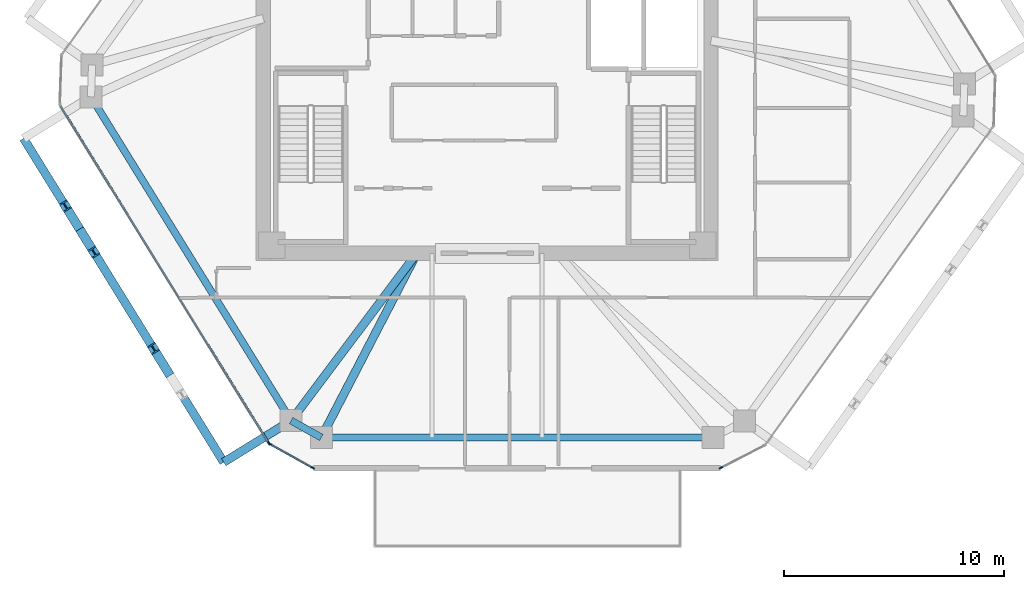
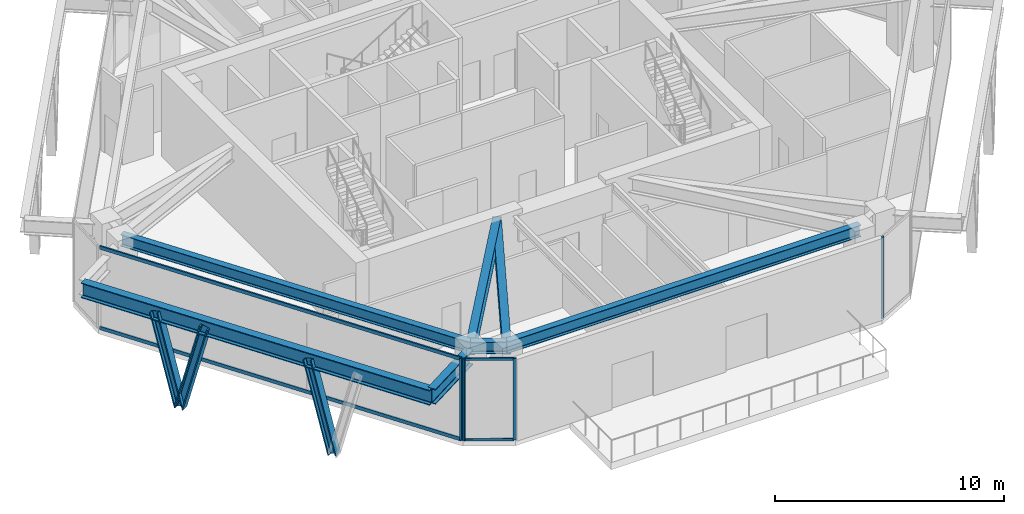
# One storey, part 2 of 12: 11 members, 7 beams, 3 elements without a shape of their own.
"""IFC4 building model written with IfcOpenShell, lengths in metres."""

from ifc_helpers import new_model, si_unit, direction, frame, origin, origin_2d, place, context, subcontext, project, spatial, rectangle, i_section, extrude, source, transform, mapped, material, layer, layer_set, material_profile, profile_set, type_object, type_shapes, element, aggregate, save


model = new_model("IFC4")

# Units and contexts
model_context = context("Model", 3, precision=1e-05, world=origin(), true_north=direction((0.0, 1.0)))
body_context = subcontext(model_context, "Body", "Model", "MODEL_VIEW")
ifc_project = project(units=[si_unit("LENGTHUNIT", "METRE"), si_unit("AREAUNIT", "SQUARE_METRE"), si_unit("VOLUMEUNIT", "CUBIC_METRE"), si_unit("PLANEANGLEUNIT", "RADIAN"), si_unit("MASSUNIT", "GRAM", prefix="KILO")], contexts=[model_context])

# Site, building, storey
site_placement = place(None, origin())
site = spatial("IfcSite", under=ifc_project, at=site_placement, CompositionType="ELEMENT")
building_placement = place(site_placement, origin())
building = spatial("IfcBuilding", under=site, at=building_placement, Name="Durnholm Broadcast Tower", CompositionType="ELEMENT")
storey_placement = place(building_placement, frame((0.0, 0.0, 162.60009765625)))
storey = spatial("IfcBuildingStorey", under=building, at=storey_placement, Name="L44", CompositionType="ELEMENT", Elevation=162.60009765625)

# Beams
ifc_material_1 = material(Name="Steel ASTM A992 Grade 50", Category="steel")
ifc_material_profile_1 = material_profile(ifc_material_1, i_section(OverallWidth=0.385009765625, OverallDepth=0.802978515625, WebThickness=0.023681640625, FlangeThickness=0.0419921875, FilletRadius=0.032958984375, at=origin_2d()), Name="W30X261")
ifc_profile_set_1 = profile_set([ifc_material_profile_1], Name="Steel ASTM A992 Grade 50")
beam_type_1 = type_object("IfcBeamType", Name="BM-EXO-TIE", PredefinedType="USERDEFINED", material=ifc_profile_set_1)
shared_shape_1 = source(origin(), body_context, "Body", "SweptSolid", [
    extrude(i_section(OverallWidth=0.385009765625, OverallDepth=0.802978515625, WebThickness=0.023681640625, FlangeThickness=0.0419921875, FilletRadius=0.032958984375, at=origin_2d()), origin(), (0.0, 0.0, 1.0), 3.4560546875),
])
beam_1_placement = place(storey_placement, frame((-9.03515625, -15.85205078125, 3.6083984375), z_axis=(-0.850693939061, -0.525661318764, 0.0), x_axis=(0.525661318764, -0.850693939061, 0.0)))
element("IfcBeam", 1, at=beam_1_placement, inside=storey, type_object=beam_type_1, Name="L44 exoskeleton stand-off tie bracket F6.2", ObjectType="GIRDER", PredefinedType="USERDEFINED", context=body_context, shape_type="MappedRepresentation", body=[
    mapped(shared_shape_1, transform((0.0, 0.0, 0.0), x_axis=(1.0, 0.0, 0.0), y_axis=(0.0, 1.0, 0.0), z_axis=(0.0, 0.0, 1.0), scale=1.0)),
])
ifc_material_profile_2 = material_profile(ifc_material_1, i_section(OverallWidth=0.3251953125, OverallDepth=0.6162109375, WebThickness=0.013916015625, FlangeThickness=0.021484375, FilletRadius=0.02783203125, at=origin_2d()), Name="W24X117")
ifc_profile_set_2 = profile_set([ifc_material_profile_2], Name="Steel ASTM A992 Grade 50")
beam_type_2 = type_object("IfcBeamType", Name="STL-SP-W24X117", PredefinedType="SPANDREL", material=ifc_profile_set_2)
shared_shape_2 = source(origin(), body_context, "Body", "SweptSolid", [
    extrude(i_section(OverallWidth=0.3251953125, OverallDepth=0.6162109375, WebThickness=0.013916015625, FlangeThickness=0.021484375, FilletRadius=0.02783203125, at=origin_2d()), origin(), (0.0, 0.0, 1.0), 17.3037109375),
])
beam_2_placement = place(storey_placement, frame((-8.91259765625, -15.7763671875, 4.036865234375), z_axis=(-0.525695324718, 0.850672925142, 0.0), x_axis=(-0.850672925142, -0.525695324718, 0.0)))
element("IfcBeam", 2, at=beam_2_placement, inside=storey, type_object=beam_type_2, Name="L44 perimeter spandrel girder 01", PredefinedType="SPANDREL", context=body_context, shape_type="MappedRepresentation", body=[
    mapped(shared_shape_2, transform((0.0, 0.0, 0.0), x_axis=(1.0, 0.0, 0.0), y_axis=(0.0, 1.0, 0.0), z_axis=(0.0, 0.0, 1.0), scale=1.0)),
])
shared_shape_3 = source(origin(), body_context, "Body", "SweptSolid", [
    extrude(i_section(OverallWidth=0.3251953125, OverallDepth=0.6162109375, WebThickness=0.013916015625, FlangeThickness=0.021484375, FilletRadius=0.02783203125, at=origin_2d()), origin(), (0.0, 0.0, 1.0), 17.796142578125),
])
beam_3_placement = place(storey_placement, frame((10.256591796875, -16.5419921875, 4.036865234375), z_axis=(-1.0, 0.0, 0.0), x_axis=(0.0, -1.0, 0.0)))
element("IfcBeam", 3, at=beam_3_placement, inside=storey, type_object=beam_type_2, Name="L44 perimeter spandrel girder 11", PredefinedType="SPANDREL", context=body_context, shape_type="MappedRepresentation", body=[
    mapped(shared_shape_3, transform((0.0, 0.0, 0.0), x_axis=(1.0, 0.0, 0.0), y_axis=(0.0, 1.0, 0.0), z_axis=(0.0, 0.0, 1.0), scale=1.0)),
])
shared_shape_4 = source(origin(), body_context, "Body", "SweptSolid", [
    extrude(i_section(OverallWidth=0.3251953125, OverallDepth=0.6162109375, WebThickness=0.013916015625, FlangeThickness=0.021484375, FilletRadius=0.02783203125, at=origin_2d()), origin(), (0.0, 0.0, 1.0), 1.572021484375),
])
type_shapes(beam_type_2, [shared_shape_2, shared_shape_3, shared_shape_4])
beam_4_placement = place(storey_placement, frame((-7.53955078125, -16.5419921875, 4.036865234375), z_axis=(-0.873394362663, 0.487013641769, 0.0), x_axis=(-0.487013641769, -0.873394362663, 0.0)))
element("IfcBeam", 4, at=beam_4_placement, inside=storey, type_object=beam_type_2, Name="L44 perimeter spandrel girder 12", PredefinedType="SPANDREL", context=body_context, shape_type="MappedRepresentation", body=[
    mapped(shared_shape_4, transform((0.0, 0.0, 0.0), x_axis=(1.0, 0.0, 0.0), y_axis=(0.0, 1.0, 0.0), z_axis=(0.0, 0.0, 1.0), scale=1.0)),
])
shared_shape_5 = source(origin(), body_context, "Body", "SweptSolid", [
    extrude(i_section(OverallWidth=0.385009765625, OverallDepth=0.802978515625, WebThickness=0.023681640625, FlangeThickness=0.0419921875, FilletRadius=0.032958984375, at=origin_2d()), origin(), (0.0, 0.0, 1.0), 17.303466796875),
])
type_shapes(beam_type_1, [shared_shape_1, shared_shape_5])
beam_5_placement = place(storey_placement, frame((-21.071533203125, -2.94921875, 3.6083984375), z_axis=(0.525701634347, -0.850669025911, 0.0), x_axis=(0.850669025911, 0.525701634347, 0.0)))
element("IfcBeam", 5, at=beam_5_placement, inside=storey, type_object=beam_type_1, Name="L44 exoskeleton collector spandrel F6", PredefinedType="SPANDREL", context=body_context, shape_type="MappedRepresentation", body=[
    mapped(shared_shape_5, transform((0.0, 0.0, 0.0), x_axis=(1.0, 0.0, 0.0), y_axis=(0.0, 1.0, 0.0), z_axis=(0.0, 0.0, 1.0), scale=1.0)),
])
ifc_material_profile_3 = material_profile(ifc_material_1, i_section(OverallWidth=0.380615234375, OverallDepth=0.773193359375, WebThickness=0.0166015625, FlangeThickness=0.027099609375, FilletRadius=0.032958984375, at=origin_2d()), Name="W30X173")
ifc_profile_set_3 = profile_set([ifc_material_profile_3], Name="Steel ASTM A992 Grade 50")
beam_type_3 = type_object("IfcBeamType", Name="STL-GR-W30X173", PredefinedType="USERDEFINED", material=ifc_profile_set_3)
shared_shape_6 = source(origin(), body_context, "Body", "SweptSolid", [
    extrude(i_section(OverallWidth=0.380615234375, OverallDepth=0.773193359375, WebThickness=0.0166015625, FlangeThickness=0.027099609375, FilletRadius=0.032958984375, at=origin_2d()), origin(), (0.0, 0.0, 1.0), 9.508544921875),
])
beam_6_placement = place(storey_placement, frame((-3.199951171875, -8.175048828125, 3.958251953125), z_axis=(-0.600784359039, -0.799411129479, 0.0), x_axis=(0.799411129479, -0.600784359039, 0.0)))
element("IfcBeam", 6, at=beam_6_placement, inside=storey, type_object=beam_type_3, Name="L44 radial primary floor girder 01", ObjectType="GIRDER", PredefinedType="USERDEFINED", context=body_context, shape_type="MappedRepresentation", body=[
    mapped(shared_shape_6, transform((0.0, 0.0, 0.0), x_axis=(1.0, 0.0, 0.0), y_axis=(0.0, 1.0, 0.0), z_axis=(0.0, 0.0, 1.0), scale=1.0)),
])
shared_shape_7 = source(origin(), body_context, "Body", "SweptSolid", [
    extrude(i_section(OverallWidth=0.380615234375, OverallDepth=0.773193359375, WebThickness=0.0166015625, FlangeThickness=0.027099609375, FilletRadius=0.032958984375, at=origin_2d()), origin(), (0.0, 0.0, 1.0), 9.42529296875),
])
type_shapes(beam_type_3, [shared_shape_6, shared_shape_7])
beam_7_placement = place(storey_placement, frame((-3.199951171875, -8.175048828125, 3.958251953125), z_axis=(-0.460416206992, -0.887703169048, 0.0), x_axis=(0.887703169048, -0.460416206992, 0.0)))
element("IfcBeam", 7, at=beam_7_placement, inside=storey, type_object=beam_type_3, Name="L44 radial primary floor girder 12", ObjectType="GIRDER", PredefinedType="USERDEFINED", context=body_context, shape_type="MappedRepresentation", body=[
    mapped(shared_shape_7, transform((0.0, 0.0, 0.0), x_axis=(1.0, 0.0, 0.0), y_axis=(0.0, 1.0, 0.0), z_axis=(0.0, 0.0, 1.0), scale=1.0)),
])

# Members
ifc_material_2 = material(Name="Steel ASTM A913 Grade 65", Category="steel")
ifc_material_profile_4 = material_profile(ifc_material_2, i_section(OverallWidth=0.412109375, OverallDepth=0.434814453125, WebThickness=0.035888671875, FlangeThickness=0.057373046875, FilletRadius=0.030517578125, at=origin_2d()), Name="W14X311")
ifc_profile_set_4 = profile_set([ifc_material_profile_4], Name="Steel ASTM A913 Grade 65")
member_type_1 = type_object("IfcMemberType", Name="STL-DG-W14X311", PredefinedType="BRACE", material=ifc_profile_set_4)
shared_shape_8 = source(origin(), body_context, "Body", "SweptSolid", [
    extrude(i_section(OverallWidth=0.412109375, OverallDepth=0.434814453125, WebThickness=0.035888671875, FlangeThickness=0.057373046875, FilletRadius=0.030517578125, at=origin_2d()), origin(), (0.0, 0.0, 1.0), 4.83984375),
])
type_shapes(member_type_1, [shared_shape_8])
for number, where, z_axis, x_axis, name in (
    (8, (-18.5244140625, -7.07080078125, -1.071533203125), (-0.134029350958, 0.21685817831, 0.966958460112), (-0.850644447398, -0.525741404219, 0.0), "L44 stand-off diagrid brace F6.D1.1"),
    (9, (-18.5244140625, -7.07080078125, -1.071533203125), (0.133979812757, -0.216859644218, 0.966964996514), (0.850732935913, 0.525598203719, 0.0), "L44 stand-off diagrid brace F6.D1.2"),
    (10, (-14.522216796875, -13.54736328125, -1.071533203125), (-0.133979812757, 0.216859644218, 0.966964996514), (-0.850732935913, -0.525598203719, 0.0), "L44 stand-off diagrid brace F6.D2.1"),
):
    element("IfcMember", number, at=place(storey_placement, frame(where, z_axis=z_axis, x_axis=x_axis)), inside=storey, type_object=member_type_1, Name=name, PredefinedType="BRACE", context=body_context, shape_type="MappedRepresentation", body=[
        mapped(shared_shape_8, transform((0.0, 0.0, 0.0), x_axis=(1.0, 0.0, 0.0), y_axis=(0.0, 1.0, 0.0), z_axis=(0.0, 0.0, 1.0), scale=1.0)),
    ])

# Curtain wall, members
ifc_material_3 = material(Name="Aluminium and Solar Control IGU", Category="aluminium")
ifc_layer_1 = layer(ifc_material_3, 0.1650390625)
ifc_layer_set_1 = layer_set([ifc_layer_1], Name="Aluminium and Solar Control IGU")
curtain_wall_type_1 = type_object("IfcCurtainWallType", Name="CW-SYS-5", PredefinedType="NOTDEFINED", material=ifc_layer_set_1)
curtain_wall_1_placement = place(storey_placement, origin())
curtain_wall_1 = element("IfcCurtainWall", 11, at=curtain_wall_1_placement, inside=storey, type_object=curtain_wall_type_1, Name="L44 curtain wall CW-CORNER CW-L44-CRN-11", PredefinedType="NOTDEFINED")
ifc_material_4 = material(Name="Aluminium 6063-T6", Category="aluminium")
ifc_material_profile_5 = material_profile(ifc_material_4, rectangle(XDim=0.06494140625, YDim=0.1298828125, at=origin_2d()), Name="CWT65X130")
ifc_profile_set_5 = profile_set([ifc_material_profile_5], Name="Aluminium 6063-T6")
member_type_2 = type_object("IfcMemberType", Name="CW-SYS-5-TRN", PredefinedType="USERDEFINED", material=ifc_profile_set_5)
shared_shape_9 = source(origin(), body_context, "Body", "SweptSolid", [
    extrude(rectangle(XDim=0.06494140625, YDim=0.1298828125, at=origin_2d()), origin(), (0.0, 0.0, 1.0), 2.169921875),
])
type_shapes(member_type_2, [shared_shape_9])
member_1_placement = place(storey_placement, frame((-7.960205078125, -17.910400390625, 0.032470703125), z_axis=(-0.873381360539, 0.487036958621, 0.0), x_axis=(-0.487036958621, -0.873381360539, 0.0)))
member_1 = element("IfcMember", 12, at=member_1_placement, type_object=member_type_2, Name="CW-CORNER transom 1.1", ObjectType="TRANSOM", PredefinedType="USERDEFINED", context=body_context, shape_type="MappedRepresentation", body=[
    mapped(shared_shape_9, transform((0.0, 0.0, 0.0), x_axis=(1.0, 0.0, 0.0), y_axis=(0.0, 1.0, 0.0), z_axis=(0.0, 0.0, 1.0), scale=1.0)),
])
member_2_placement = place(storey_placement, frame((-7.960205078125, -17.910400390625, 4.327392578125), z_axis=(-0.873381360539, 0.487036958621, 0.0), x_axis=(-0.487036958621, -0.873381360539, 0.0)))
member_2 = element("IfcMember", 13, at=member_2_placement, type_object=member_type_2, Name="CW-CORNER transom 1.2", ObjectType="TRANSOM", PredefinedType="USERDEFINED", context=body_context, shape_type="MappedRepresentation", body=[
    mapped(shared_shape_9, transform((0.0, 0.0, 0.0), x_axis=(1.0, 0.0, 0.0), y_axis=(0.0, 1.0, 0.0), z_axis=(0.0, 0.0, 1.0), scale=1.0)),
])

ifc_layer_2 = layer(ifc_material_3, 0.219970703125)
ifc_layer_set_2 = layer_set([ifc_layer_2], Name="Aluminium and Solar Control IGU")
curtain_wall_type_2 = type_object("IfcCurtainWallType", Name="CW-SYS-6", PredefinedType="NOTDEFINED", material=ifc_layer_set_2)
curtain_wall_2_placement = place(storey_placement, origin())
curtain_wall_2 = element("IfcCurtainWall", 14, at=curtain_wall_2_placement, inside=storey, type_object=curtain_wall_type_2, Name="L44 curtain wall CW-AMENITY CW-L44-F12", PredefinedType="NOTDEFINED")
ifc_material_profile_6 = material_profile(ifc_material_4, rectangle(XDim=0.074951171875, YDim=0.179931640625, at=origin_2d()), Name="CWT75X180")
ifc_profile_set_6 = profile_set([ifc_material_profile_6], Name="Aluminium 6063-T6")
member_type_3 = type_object("IfcMemberType", Name="CW-SYS-6-TRN", PredefinedType="USERDEFINED", material=ifc_profile_set_6)
shared_shape_10 = source(origin(), body_context, "Body", "SweptSolid", [
    extrude(rectangle(XDim=0.074951171875, YDim=0.179931640625, at=origin_2d()), origin(), (0.0, 0.0, 1.0), 17.941162109375),
])
type_shapes(member_type_3, [shared_shape_10])
member_3_placement = place(storey_placement, frame((-9.95166015625, -16.758056640625, 0.037353515625), z_axis=(-0.52570000842, 0.850670030709, 0.0), x_axis=(-0.850670030709, -0.52570000842, 0.0)))
member_3 = element("IfcMember", 15, at=member_3_placement, type_object=member_type_3, Name="CW-AMENITY transom 1.1", ObjectType="TRANSOM", PredefinedType="USERDEFINED", context=body_context, shape_type="MappedRepresentation", body=[
    mapped(shared_shape_10, transform((0.0, 0.0, 0.0), x_axis=(1.0, 0.0, 0.0), y_axis=(0.0, 1.0, 0.0), z_axis=(0.0, 0.0, 1.0), scale=1.0)),
])
member_4_placement = place(storey_placement, frame((-9.95166015625, -16.758056640625, 4.322509765625), z_axis=(-0.52570000842, 0.850670030709, 0.0), x_axis=(-0.850670030709, -0.52570000842, 0.0)))
member_4 = element("IfcMember", 16, at=member_4_placement, type_object=member_type_3, Name="CW-AMENITY transom 1.2", ObjectType="TRANSOM", PredefinedType="USERDEFINED", context=body_context, shape_type="MappedRepresentation", body=[
    mapped(shared_shape_10, transform((0.0, 0.0, 0.0), x_axis=(1.0, 0.0, 0.0), y_axis=(0.0, 1.0, 0.0), z_axis=(0.0, 0.0, 1.0), scale=1.0)),
])

# Curtain wall, member
curtain_wall_3_placement = place(storey_placement, origin())
curtain_wall_3 = element("IfcCurtainWall", 17, at=curtain_wall_3_placement, inside=storey, type_object=curtain_wall_type_1, Name="L44 curtain wall CW-CORNER CW-L44-CRN-09", PredefinedType="NOTDEFINED")
ifc_material_profile_7 = material_profile(ifc_material_4, rectangle(XDim=0.06494140625, YDim=0.1650390625, at=origin_2d()), Name="CWM65X165")
ifc_profile_set_7 = profile_set([ifc_material_profile_7], Name="Aluminium 6063-T6")
member_type_4 = type_object("IfcMemberType", Name="CW-SYS-5-MUL", PredefinedType="MULLION", material=ifc_profile_set_7)
shared_shape_11 = source(origin(), body_context, "Body", "SweptSolid", [
    extrude(rectangle(XDim=0.06494140625, YDim=0.1650390625, at=origin_2d()), origin(), (0.0, 0.0, 1.0), 4.35986328125),
])
type_shapes(member_type_4, [shared_shape_11])
member_5_placement = place(storey_placement, frame((10.624267578125, -17.92724609375, 0.0), z_axis=(0.0, 0.0, 1.0), x_axis=(0.457081764476, -0.889424679545, 0.0)))
member_5 = element("IfcMember", 18, at=member_5_placement, type_object=member_type_4, Name="CW-CORNER mullion 2", PredefinedType="MULLION", context=body_context, shape_type="MappedRepresentation", body=[
    mapped(shared_shape_11, transform((0.0, 0.0, 0.0), x_axis=(1.0, 0.0, 0.0), y_axis=(0.0, 1.0, 0.0), z_axis=(0.0, 0.0, 1.0), scale=1.0)),
])
aggregate(curtain_wall_3, [member_5])

# Member
member_6_placement = place(storey_placement, frame((-7.931884765625, -17.92626953125, 0.0), z_axis=(0.0, 0.0, 1.0), x_axis=(-0.486986043316, -0.873409751271, 0.0)))
member_6 = element("IfcMember", 19, at=member_6_placement, type_object=member_type_4, Name="CW-CORNER mullion 1", PredefinedType="MULLION", context=body_context, shape_type="MappedRepresentation", body=[
    mapped(shared_shape_11, transform((0.0, 0.0, 0.0), x_axis=(1.0, 0.0, 0.0), y_axis=(0.0, 1.0, 0.0), z_axis=(0.0, 0.0, 1.0), scale=1.0)),
])

member_7_placement = place(storey_placement, frame((-9.884033203125, -16.837646484375, 0.0), z_axis=(0.0, 0.0, 1.0), x_axis=(-0.486986043316, -0.873409751271, 0.0)))
member_7 = element("IfcMember", 20, at=member_7_placement, type_object=member_type_4, Name="CW-CORNER mullion 2", PredefinedType="MULLION", context=body_context, shape_type="MappedRepresentation", body=[
    mapped(shared_shape_11, transform((0.0, 0.0, 0.0), x_axis=(1.0, 0.0, 0.0), y_axis=(0.0, 1.0, 0.0), z_axis=(0.0, 0.0, 1.0), scale=1.0)),
])

aggregate(curtain_wall_1, [member_6, member_7, member_1, member_2])

ifc_material_profile_8 = material_profile(ifc_material_4, rectangle(XDim=0.074951171875, YDim=0.219970703125, at=origin_2d()), Name="CWM75X220")
ifc_profile_set_8 = profile_set([ifc_material_profile_8], Name="Aluminium 6063-T6")
member_type_5 = type_object("IfcMemberType", Name="CW-SYS-6-MUL", PredefinedType="MULLION", material=ifc_profile_set_8)
shared_shape_12 = source(origin(), body_context, "Body", "SweptSolid", [
    extrude(rectangle(XDim=0.074951171875, YDim=0.219970703125, at=origin_2d()), origin(), (0.0, 0.0, 1.0), 4.35986328125),
])
type_shapes(member_type_5, [shared_shape_12])
member_8_placement = place(storey_placement, frame((-9.93212890625, -16.7900390625, 0.0), z_axis=(0.0, 0.0, 1.0), x_axis=(-0.850671426092, -0.525697750452, 0.0)))
member_8 = element("IfcMember", 21, at=member_8_placement, type_object=member_type_5, Name="CW-AMENITY mullion 1", PredefinedType="MULLION", context=body_context, shape_type="MappedRepresentation", body=[
    mapped(shared_shape_12, transform((0.0, 0.0, 0.0), x_axis=(1.0, 0.0, 0.0), y_axis=(0.0, 1.0, 0.0), z_axis=(0.0, 0.0, 1.0), scale=1.0)),
])

aggregate(curtain_wall_2, [member_8, member_3, member_4])

save(model, "model.ifc")
